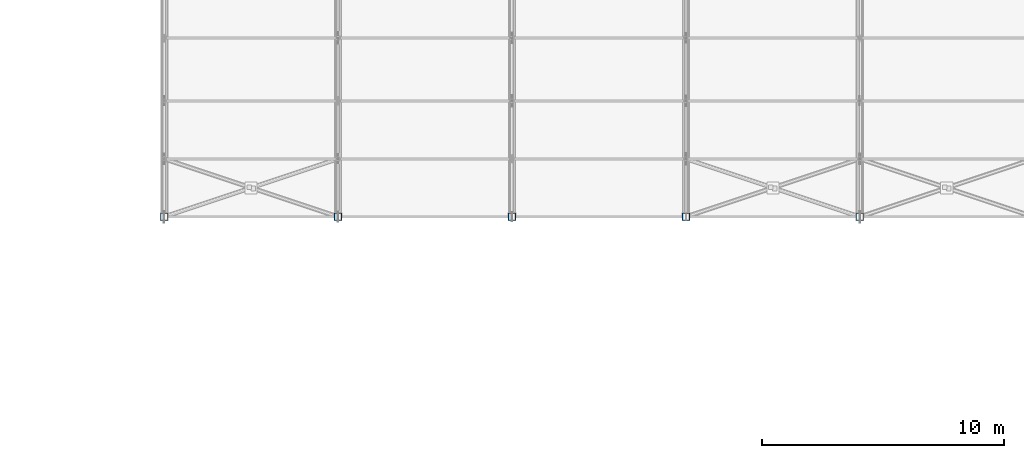
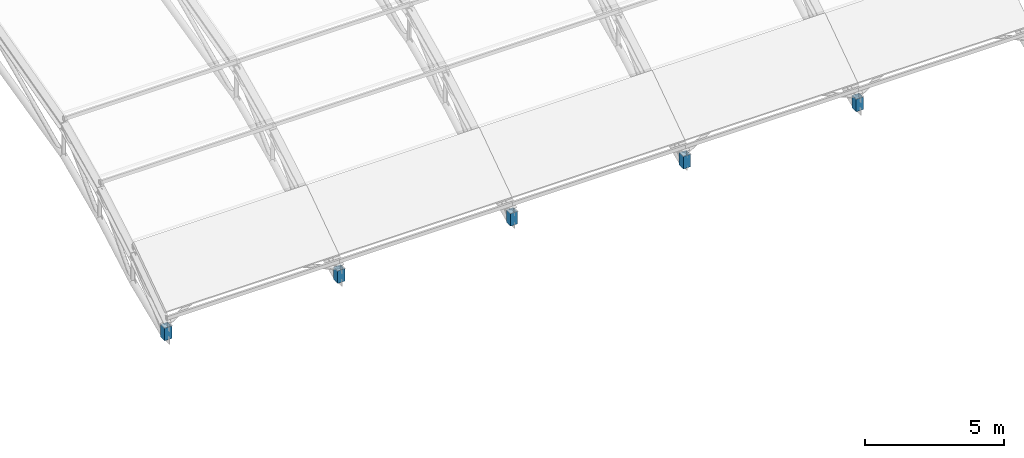
# One storey, part 2 of 63: 5 columns.
"""IFC4 building model written with IfcOpenShell, lengths in metres."""

from ifc_helpers import new_model, si_unit, direction, frame, origin, origin_2d, place, context, subcontext, project, spatial, hollow_rectangle, extrude, material, material_profile, profile_set, type_object, element, save


model = new_model("IFC4")

# Units and contexts
model_context = context("Model", 3, precision=1e-05, world=origin(), true_north=direction((0.0, 1.0)))
body_context = subcontext(model_context, "Body", "Model", "MODEL_VIEW")
ifc_project = project(units=[si_unit("LENGTHUNIT", "METRE"), si_unit("AREAUNIT", "SQUARE_METRE"), si_unit("VOLUMEUNIT", "CUBIC_METRE"), si_unit("PLANEANGLEUNIT", "RADIAN"), si_unit("MASSUNIT", "GRAM", prefix="KILO")], contexts=[model_context])

# Site, building, storey
site_placement = place(None, origin())
site = spatial("IfcSite", under=ifc_project, at=site_placement, CompositionType="ELEMENT")
building_placement = place(site_placement, origin())
building = spatial("IfcBuilding", under=site, at=building_placement, Name="Solvadek Multi-Sports Hall", CompositionType="ELEMENT")
storey_placement = place(building_placement, frame((0.0, 0.0, 19.199951171875)))
storey = spatial("IfcBuildingStorey", under=building, at=storey_placement, Name="RF", CompositionType="ELEMENT", Elevation=19.199951171875)

# Columns
ifc_material = material(Name="Steel E350 (350 MPa)", Category="steel")
ifc_material_profile = material_profile(ifc_material, hollow_rectangle(XDim=0.300048828125, YDim=0.300048828125, WallThickness=0.012451171875, at=origin_2d()), Name="SHS 300x300x12.5")
ifc_profile_set = profile_set([ifc_material_profile], Name="Steel E350 (350 MPa)")
column_type = type_object("IfcColumnType", Name="STR-COL-SHS300", PredefinedType="COLUMN", material=ifc_profile_set)
for number, where, z_axis, x_axis, name in (
    (1, (21.60009765625, 49.199951171875, -4.800048828125), (0.0, 0.0, 1.0), (1.0, 0.0, 0.0), "v4 Truss 1 Bearing Post"),
    (2, (28.800048828125, 49.199951171875, -4.800048828125), (0.0, 0.0, 1.0), (1.0, 0.0, 0.0), "v4 Truss 2 Bearing Post"),
    (3, (36.0, 49.199951171875, -4.800048828125), (0.0, 0.0, 1.0), (1.0, 0.0, 0.0), "v4 Truss 3 Bearing Post"),
    (4, (43.199951171875, 49.199951171875, -4.800048828125), (0.0, 0.0, 1.0), (1.0, 0.0, 0.0), "v4 Truss 4 Bearing Post"),
    (5, (50.39990234375, 49.199951171875, -4.800048828125), (0.0, 0.0, 1.0), (1.0, 0.0, 0.0), "v4 Truss 5 Bearing Post"),
):
    element("IfcColumn", number, at=place(storey_placement, frame(where, z_axis=z_axis, x_axis=x_axis)), inside=storey, type_object=column_type, Name=name, PredefinedType="COLUMN", context=body_context, shape_type="SweptSolid", body=[
        extrude(hollow_rectangle(XDim=0.300048828125, YDim=0.300048828125, WallThickness=0.012451171875, at=origin_2d()), origin(), (0.0, 0.0, 1.0), 0.550048828125),
    ])

save(model, "model.ifc")
